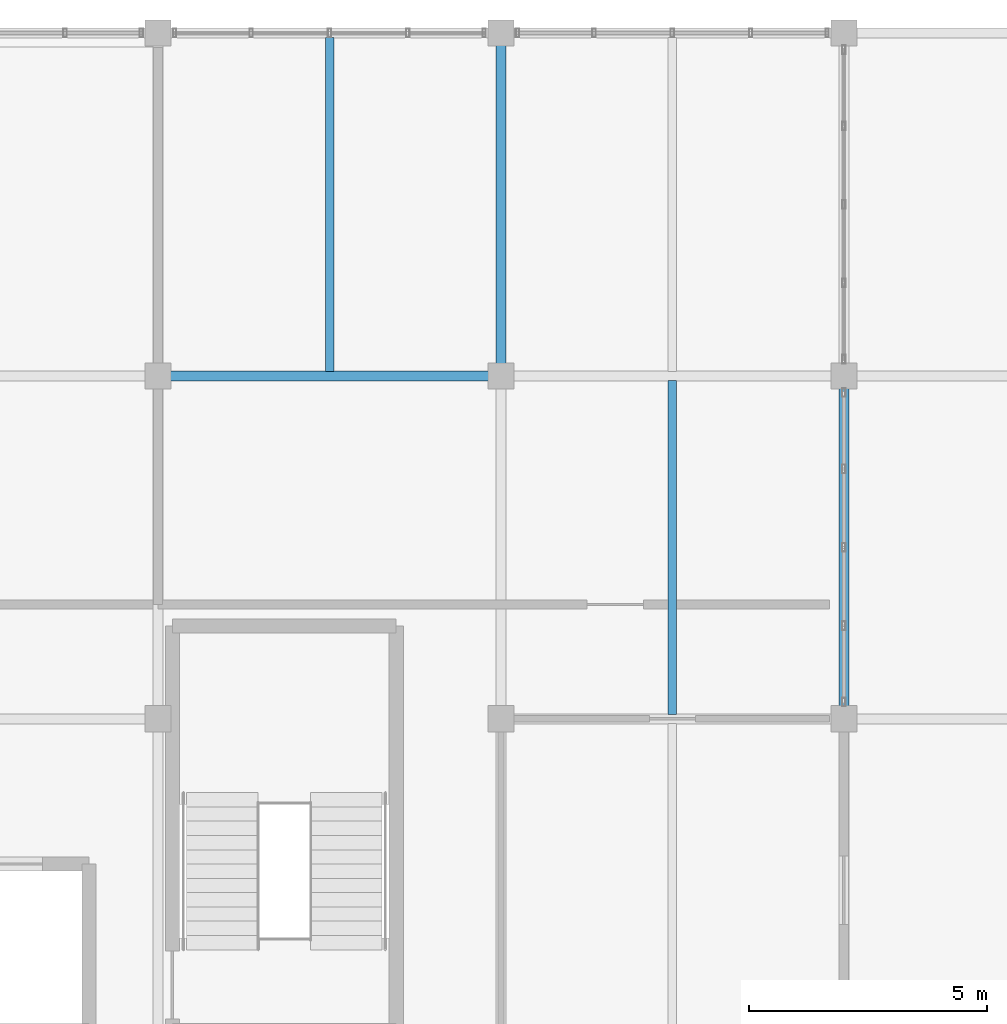
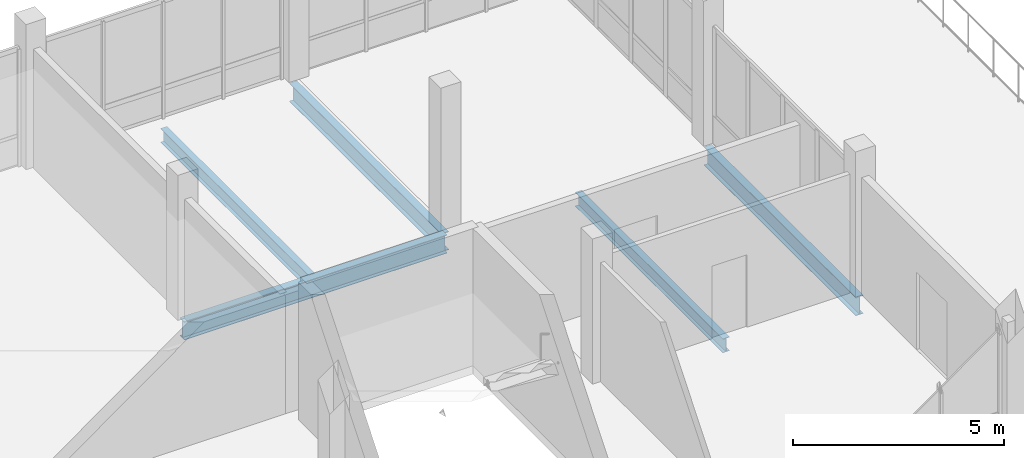
# One storey, part 25 of 47: 5 beams.
"""IFC4 building model written with IfcOpenShell, lengths in metres."""

from ifc_helpers import new_model, si_unit, direction, frame, origin, origin_2d, place, context, subcontext, project, spatial, i_section, extrude, material, material_profile, profile_set, type_object, element, save


model = new_model("IFC4")

# Units and contexts
model_context = context("Model", 3, precision=1e-05, world=origin(), true_north=direction((0.0, 1.0)))
body_context = subcontext(model_context, "Body", "Model", "MODEL_VIEW")
ifc_project = project(units=[si_unit("LENGTHUNIT", "METRE"), si_unit("AREAUNIT", "SQUARE_METRE"), si_unit("VOLUMEUNIT", "CUBIC_METRE"), si_unit("PLANEANGLEUNIT", "RADIAN"), si_unit("MASSUNIT", "GRAM", prefix="KILO")], contexts=[model_context])

# Site, building, storey
site_placement = place(None, origin())
site = spatial("IfcSite", under=ifc_project, at=site_placement, CompositionType="ELEMENT")
building_placement = place(site_placement, origin())
building = spatial("IfcBuilding", under=site, at=building_placement, Name="Yarey Park Central Fire Station", CompositionType="ELEMENT")
storey_placement = place(building_placement, frame((0.0, 0.0, 18.0)))
storey = spatial("IfcBuildingStorey", under=building, at=storey_placement, Name="L05", CompositionType="ELEMENT", Elevation=18.0)

# Beams
ifc_material = material(Name="Steel ASTM A992 Gr. 50", Category="steel")
ifc_material_profile_1 = material_profile(ifc_material, i_section(OverallWidth=0.208984375, OverallDepth=0.532958984375, WebThickness=0.01025390625, FlangeThickness=0.015625, at=origin_2d()), Name="W530x92")
ifc_profile_set_1 = profile_set([ifc_material_profile_1], Name="Steel ASTM A992 Gr. 50")
beam_type_1 = type_object("IfcBeamType", Name="STR_BM_W530", PredefinedType="BEAM", material=ifc_profile_set_1)
for number, where, z_axis, x_axis, name in (
    (1, (136.800048828125, 108.0, -0.506591796875), (1.0, 0.0, 0.0), (0.0, 1.0, 0.0), "BMX L05 Y1080 X1368"),
    (2, (144.0, 108.0, -0.506591796875), (0.0, 1.0, 0.0), (-1.0, 0.0, 0.0), "BMY L05 X1440 Y1080"),
    (3, (151.199951171875, 100.800048828125, -0.506591796875), (0.0, 1.0, 0.0), (-1.0, 0.0, 0.0), "BMY L05 X1512 Y1008"),
):
    element("IfcBeam", number, at=place(storey_placement, frame(where, z_axis=z_axis, x_axis=x_axis)), inside=storey, type_object=beam_type_1, Name=name, PredefinedType="BEAM", context=body_context, shape_type="SweptSolid", body=[
        extrude(i_section(OverallWidth=0.208984375, OverallDepth=0.532958984375, WebThickness=0.01025390625, FlangeThickness=0.015625, at=origin_2d()), origin(), (0.0, 0.0, 1.0), 7.199951171875),
    ])
ifc_material_profile_2 = material_profile(ifc_material, i_section(OverallWidth=0.177978515625, OverallDepth=0.406982421875, WebThickness=0.0078125, FlangeThickness=0.0126953125, at=origin_2d()), Name="W410x60")
ifc_profile_set_2 = profile_set([ifc_material_profile_2], Name="Steel ASTM A992 Gr. 50")
beam_type_2 = type_object("IfcBeamType", Name="STR_JST_W410", PredefinedType="JOIST", material=ifc_profile_set_2)
for number, where, z_axis, x_axis, name in (
    (4, (140.39990234375, 108.094970703125, -0.443603515625), (0.0, 1.0, 0.0), (-1.0, 0.0, 0.0), "JST L05 X1404 Y1080"),
    (5, (147.60009765625, 100.89501953125, -0.443603515625), (0.0, 1.0, 0.0), (-1.0, 0.0, 0.0), "JST L05 X1476 Y1008"),
):
    element("IfcBeam", number, at=place(storey_placement, frame(where, z_axis=z_axis, x_axis=x_axis)), inside=storey, type_object=beam_type_2, Name=name, PredefinedType="JOIST", context=body_context, shape_type="SweptSolid", body=[
        extrude(i_section(OverallWidth=0.177978515625, OverallDepth=0.406982421875, WebThickness=0.0078125, FlangeThickness=0.0126953125, at=origin_2d()), origin(), (0.0, 0.0, 1.0), 7.010009765625),
    ])

save(model, "model.ifc")
